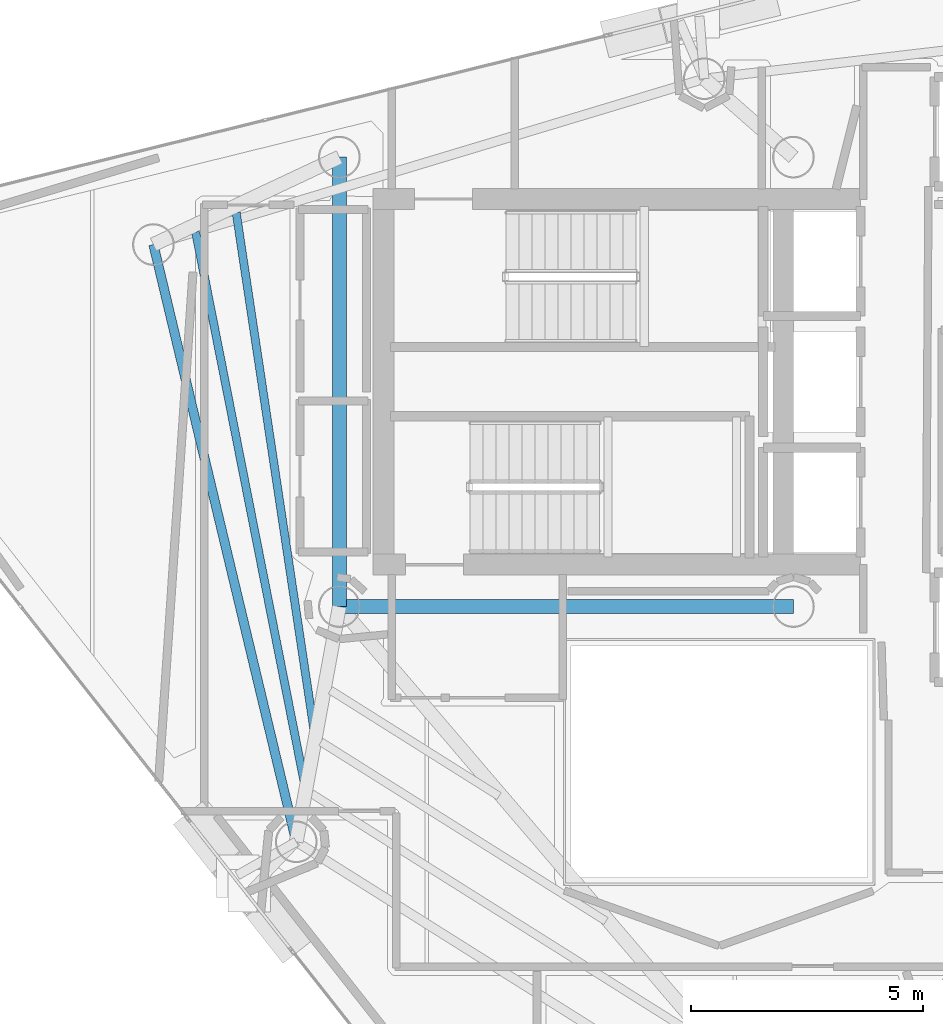
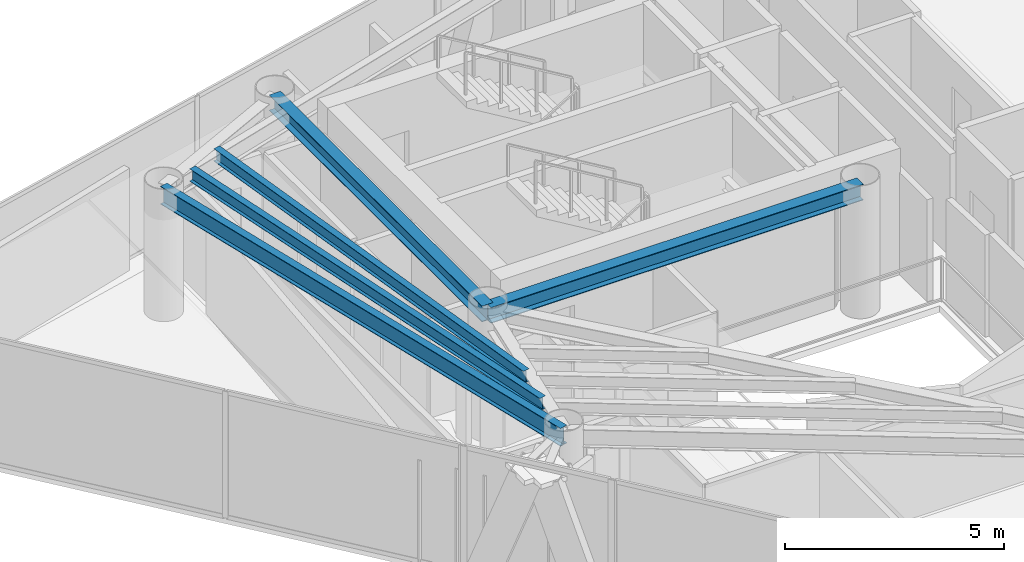
# One storey, part 8 of 21: 5 beams.
"""IFC4 building model written with IfcOpenShell, lengths in metres."""

from ifc_helpers import new_model, si_unit, direction, frame, origin, origin_2d, place, context, subcontext, project, spatial, i_section, extrude, material, material_profile, profile_set, type_object, element, save


model = new_model("IFC4")

# Units and contexts
model_context = context("Model", 3, precision=1e-05, world=origin(), true_north=direction((0.0, 1.0)))
body_context = subcontext(model_context, "Body", "Model", "MODEL_VIEW")
ifc_project = project(units=[si_unit("LENGTHUNIT", "METRE"), si_unit("AREAUNIT", "SQUARE_METRE"), si_unit("VOLUMEUNIT", "CUBIC_METRE"), si_unit("PLANEANGLEUNIT", "RADIAN"), si_unit("MASSUNIT", "GRAM", prefix="KILO")], contexts=[model_context])

# Site, building, storey
site_placement = place(None, origin())
site = spatial("IfcSite", under=ifc_project, at=site_placement, CompositionType="ELEMENT")
building_placement = place(site_placement, origin())
building = spatial("IfcBuilding", under=site, at=building_placement, Name="Qianvela Tower", CompositionType="ELEMENT")
storey_placement = place(building_placement, frame((0.0, 0.0, 310.199951171875)))
storey = spatial("IfcBuildingStorey", under=building, at=storey_placement, Name="L80", CompositionType="ELEMENT", Elevation=310.199951171875)

# Beams
ifc_material_1 = material(Name="Steel Q355B", Category="steel")
ifc_material_profile_1 = material_profile(ifc_material_1, i_section(OverallWidth=0.300048828125, OverallDepth=0.43994140625, WebThickness=0.010986328125, FlangeThickness=0.01806640625, at=origin_2d()), Name="HM440x300x11x18")
ifc_profile_set_1 = profile_set([ifc_material_profile_1], Name="Steel Q355B")
beam_type_1 = type_object("IfcBeamType", Name="BM-HM440-COLL", PredefinedType="BEAM", material=ifc_profile_set_1)
beam_1_placement = place(storey_placement, frame((28.60009765625, 23.85009765625, 3.298095703125), z_axis=(1.0, 0.0, 0.0), x_axis=(0.0, 1.0, 0.0)))
element("IfcBeam", 1, at=beam_1_placement, inside=storey, type_object=beam_type_1, Name="L80 Core Ring Collector Girder CC1", PredefinedType="BEAM", context=body_context, shape_type="SweptSolid", body=[
    extrude(i_section(OverallWidth=0.300048828125, OverallDepth=0.43994140625, WebThickness=0.010986328125, FlangeThickness=0.01806640625, at=origin_2d()), origin(), (0.0, 0.0, 1.0), 9.7998046875),
])
beam_2_placement = place(storey_placement, frame((28.60009765625, 33.550048828125, 3.298095703125), z_axis=(0.0, -1.0, 0.0), x_axis=(1.0, 0.0, 0.0)))
element("IfcBeam", 2, at=beam_2_placement, inside=storey, type_object=beam_type_1, Name="L80 Core Ring Collector Girder CC2", PredefinedType="BEAM", context=body_context, shape_type="SweptSolid", body=[
    extrude(i_section(OverallWidth=0.300048828125, OverallDepth=0.43994140625, WebThickness=0.010986328125, FlangeThickness=0.01806640625, at=origin_2d()), origin(), (0.0, 0.0, 1.0), 9.699951171875),
])
ifc_material_2 = material(Name="Steel Q355B", Category="steel")
ifc_material_profile_2 = material_profile(ifc_material_2, i_section(OverallWidth=0.175048828125, OverallDepth=0.35009765625, WebThickness=0.007080078125, FlangeThickness=0.010986328125, at=origin_2d()), Name="HN350x175x7x11")
ifc_profile_set_2 = profile_set([ifc_material_profile_2], Name="Steel Q355B")
beam_type_2 = type_object("IfcBeamType", Name="BM-HN350-JOIST", PredefinedType="JOIST", material=ifc_profile_set_2)
beam_3_placement = place(storey_placement, frame((26.37451171875, 32.348876953125, 3.343017578125), z_axis=(0.148647266964, -0.988890282096, 0.0), x_axis=(0.988890282096, 0.148647266964, 0.0)))
element("IfcBeam", 3, at=beam_3_placement, inside=storey, type_object=beam_type_2, Name="L80 Secondary Composite Floor Joist 3.2", PredefinedType="JOIST", context=body_context, shape_type="SweptSolid", body=[
    extrude(i_section(OverallWidth=0.175048828125, OverallDepth=0.35009765625, WebThickness=0.007080078125, FlangeThickness=0.010986328125, at=origin_2d()), origin(), (0.0, 0.0, 1.0), 11.32275390625),
])
beam_4_placement = place(storey_placement, frame((25.498046875, 31.934814453125, 3.343017578125), z_axis=(0.193576445355, -0.981085194977, 0.0), x_axis=(0.981085194977, 0.193576445355, 0.0)))
element("IfcBeam", 4, at=beam_4_placement, inside=storey, type_object=beam_type_2, Name="L80 Secondary Composite Floor Joist 3.3", PredefinedType="JOIST", context=body_context, shape_type="SweptSolid", body=[
    extrude(i_section(OverallWidth=0.175048828125, OverallDepth=0.35009765625, WebThickness=0.007080078125, FlangeThickness=0.010986328125, at=origin_2d()), origin(), (0.0, 0.0, 1.0), 12.13037109375),
])
ifc_material_3 = material(Name="Steel Q355B", Category="steel")
ifc_material_profile_3 = material_profile(ifc_material_3, i_section(OverallWidth=0.199951171875, OverallDepth=0.5, WebThickness=0.010009765625, FlangeThickness=0.01611328125, at=origin_2d()), Name="HN500x200x10x16")
ifc_profile_set_3 = profile_set([ifc_material_profile_3], Name="Steel Q355B")
beam_type_3 = type_object("IfcBeamType", Name="BM-HN500-GIRD", PredefinedType="BEAM", material=ifc_profile_set_3)
beam_5_placement = place(storey_placement, frame((24.5869140625, 31.6630859375, 3.26806640625), z_axis=(0.232631550142, -0.972564939672, 0.0), x_axis=(0.972564939672, 0.232631550142, 0.0)))
element("IfcBeam", 5, at=beam_5_placement, inside=storey, type_object=beam_type_3, Name="L80 Perimeter Ring Spandrel Girder 3", PredefinedType="BEAM", context=body_context, shape_type="SweptSolid", body=[
    extrude(i_section(OverallWidth=0.199951171875, OverallDepth=0.5, WebThickness=0.010009765625, FlangeThickness=0.01611328125, at=origin_2d()), origin(), (0.0, 0.0, 1.0), 13.252685546875),
])

save(model, "model.ifc")
